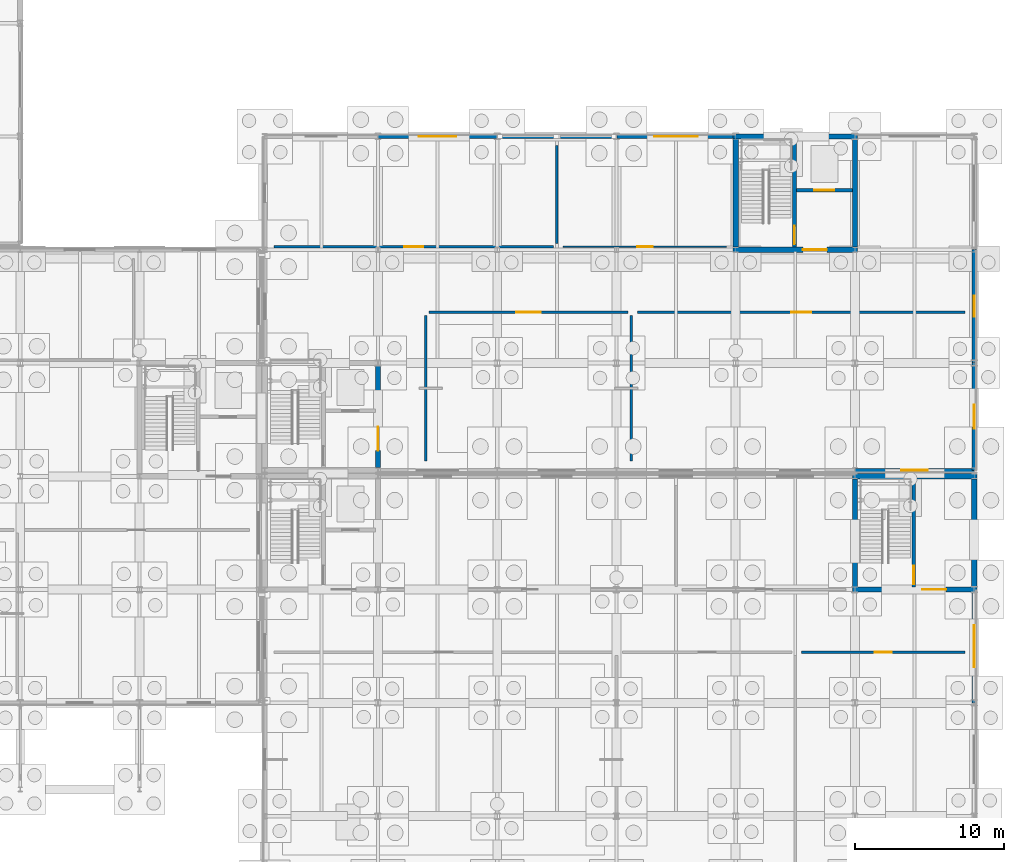
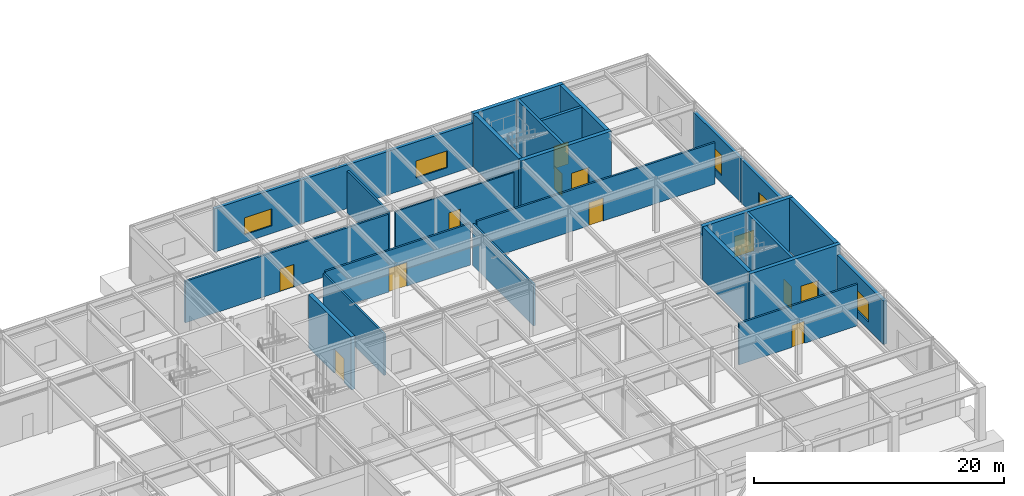
# One storey, part 48 of 62: 27 walls, 11 doors, 6 windows, 17 openings.
"""IFC4 building model written with IfcOpenShell, lengths in metres."""

from ifc_helpers import new_model, si_unit, direction, frame, frame_2d, origin, place, context, subcontext, project, spatial, rectangle, extrude, material, layer, layer_set, type_object, element, fill, save


model = new_model("IFC4")

# Units and contexts
model_context = context("Model", 3, precision=1e-05, world=origin(), true_north=direction((0.0, 1.0)))
body_context = subcontext(model_context, "Body", "Model", "MODEL_VIEW")
ifc_project = project(units=[si_unit("LENGTHUNIT", "METRE"), si_unit("AREAUNIT", "SQUARE_METRE"), si_unit("VOLUMEUNIT", "CUBIC_METRE"), si_unit("PLANEANGLEUNIT", "RADIAN"), si_unit("MASSUNIT", "GRAM", prefix="KILO")], contexts=[model_context])

# Site, building, storey
site_placement = place(None, origin())
site = spatial("IfcSite", under=ifc_project, at=site_placement, CompositionType="ELEMENT")
building_placement = place(site_placement, origin())
building = spatial("IfcBuilding", under=site, at=building_placement, Name="Zulena Civic Courthouse", CompositionType="ELEMENT")
storey_placement = place(building_placement, origin())
storey = spatial("IfcBuildingStorey", under=building, at=storey_placement, Name="L00", CompositionType="ELEMENT", Elevation=0.0)

# Wall, opening, door
ifc_material_1 = material(Name="Concrete C40/50", Category="concrete")
ifc_layer_1 = layer(ifc_material_1, 0.25)
ifc_layer_set_1 = layer_set([ifc_layer_1], Name="Concrete C40/50")
wall_type_1 = type_object("IfcWallType", Name="CoreShearWall_RC250", PredefinedType="SHEAR", material=ifc_layer_set_1)
wall_1_placement = place(storey_placement, frame((167.949951171875, 22.97509765625, 0.0), z_axis=(0.0, 0.0, 1.0), x_axis=(0.0, 1.0, 0.0)))
wall_1 = element("IfcWall", 1, at=wall_1_placement, inside=storey, type_object=wall_type_1, Name="cwall:K1B:L00:DIV", PredefinedType="SHEAR", context=body_context, shape_type="SweptSolid", body=[
    extrude(rectangle(XDim=7.25, YDim=0.25, at=frame_2d((3.625, 0.0))), origin(), (0.0, 0.0, 1.0), 5.18994140625),
])
opening_1_placement = place(wall_1_placement, frame((0.179931640625, 0.0, 0.0)))
opening_1 = element("IfcOpeningElement", 2, at=opening_1_placement, cuts=wall_1, Name="Opening ID06", PredefinedType="OPENING", context=body_context, shape_type="SweptSolid", body=[
    extrude(rectangle(XDim=1.25, YDim=2.199951171875, at=frame_2d((0.625, 1.10009765625))), frame((0.0, 0.135009765625, 0.0), z_axis=(0.0, -1.0, 0.0), x_axis=(1.0, 0.0, 0.0)), (0.0, 0.0, 1.0), 0.27001953125),
])
ifc_material_2 = material(Name="Fire-rated galvanised steel ASTM A653 Grade 50", Category="steel")
door_type_1 = type_object("IfcDoorType", Name="IntDoor_Stair_1250x2200", OperationType="NOTDEFINED", PredefinedType="DOOR", material=ifc_material_2)
door_1_placement = place(opening_1_placement, origin())
door_1 = element("IfcDoor", 3, at=door_1_placement, inside=storey, type_object=door_type_1, Name="door:stair:K1B:L00", OperationType="SINGLE_SWING_LEFT", OverallHeight=2.199951171875, OverallWidth=1.25, PredefinedType="DOOR", context=body_context, shape_type="SweptSolid", body=[
    extrude(rectangle(XDim=1.25, YDim=2.199951171875, at=frame_2d((0.625, 1.10009765625))), frame((0.0, 0.02490234375, 0.0), z_axis=(0.0, -1.0, 0.0), x_axis=(1.0, 0.0, 0.0)), (0.0, 0.0, 1.0), 0.050048828125),
])
fill(opening_1, door_1)

wall_2_placement = place(storey_placement, frame((159.949951171875, 45.77490234375, 0.0), z_axis=(0.0, 0.0, 1.0), x_axis=(0.0, 1.0, 0.0)))
wall_2 = element("IfcWall", 4, at=wall_2_placement, inside=storey, type_object=wall_type_1, Name="cwall:K3B:L00:DIV", PredefinedType="SHEAR", context=body_context, shape_type="SweptSolid", body=[
    extrude(rectangle(XDim=7.25, YDim=0.25, at=frame_2d((3.625, 0.0))), origin(), (0.0, 0.0, 1.0), 5.18994140625),
])
opening_2_placement = place(wall_2_placement, frame((0.179931640625, 0.0, 0.0)))
opening_2 = element("IfcOpeningElement", 5, at=opening_2_placement, cuts=wall_2, Name="Opening ID06", PredefinedType="OPENING", context=body_context, shape_type="SweptSolid", body=[
    extrude(rectangle(XDim=1.25, YDim=2.199951171875, at=frame_2d((0.625, 1.10009765625))), frame((0.0, 0.135009765625, 0.0), z_axis=(0.0, -1.0, 0.0), x_axis=(1.0, 0.0, 0.0)), (0.0, 0.0, 1.0), 0.27001953125),
])
door_2_placement = place(opening_2_placement, origin())
door_2 = element("IfcDoor", 6, at=door_2_placement, inside=storey, type_object=door_type_1, Name="door:stair:K3B:L00", OperationType="SINGLE_SWING_LEFT", OverallHeight=2.199951171875, OverallWidth=1.25, PredefinedType="DOOR", context=body_context, shape_type="SweptSolid", body=[
    extrude(rectangle(XDim=1.25, YDim=2.199951171875, at=frame_2d((0.625, 1.10009765625))), frame((0.0, 0.02490234375, 0.0), z_axis=(0.0, -1.0, 0.0), x_axis=(1.0, 0.0, 0.0)), (0.0, 0.0, 1.0), 0.050048828125),
])
fill(opening_2, door_2)

wall_3_placement = place(storey_placement, frame((160.074951171875, 49.60009765625, 0.0), z_axis=(0.0, 0.0, 1.0), x_axis=(1.0, 0.0, 0.0)))
wall_3 = element("IfcWall", 7, at=wall_3_placement, inside=storey, type_object=wall_type_1, Name="cwall:K3B:L00:SHF", PredefinedType="SHEAR", context=body_context, shape_type="SweptSolid", body=[
    extrude(rectangle(XDim=3.75, YDim=0.25, at=frame_2d((1.875, 0.0))), origin(), (0.0, 0.0, 1.0), 5.18994140625),
])
opening_3_placement = place(wall_3_placement, frame((1.195068359375, 0.0, 0.0)))
opening_3 = element("IfcOpeningElement", 8, at=opening_3_placement, cuts=wall_3, Name="Opening LD04", PredefinedType="OPENING", context=body_context, shape_type="SweptSolid", body=[
    extrude(rectangle(XDim=1.35009765625, YDim=2.199951171875, at=frame_2d((0.675048828125, 1.10009765625))), frame((0.0, 0.135009765625, 0.0), z_axis=(0.0, -1.0, 0.0), x_axis=(1.0, 0.0, 0.0)), (0.0, 0.0, 1.0), 0.27001953125),
])
door_type_2 = type_object("IfcDoorType", Name="LiftLandingDoor_Goods_1350x2300", OperationType="DOUBLE_DOOR_SLIDING", PredefinedType="DOOR", material=ifc_material_2)
door_3_placement = place(opening_3_placement, origin())
door_3 = element("IfcDoor", 9, at=door_3_placement, inside=storey, type_object=door_type_2, Name="door:ld:GL-01:L00", OperationType="DOUBLE_DOOR_SLIDING", OverallHeight=2.199951171875, OverallWidth=1.35009765625, PredefinedType="DOOR", context=body_context, shape_type="SweptSolid", body=[
    extrude(rectangle(XDim=1.35009765625, YDim=2.199951171875, at=frame_2d((0.675048828125, 1.10009765625))), frame((0.0, 0.02490234375, 0.0), z_axis=(0.0, -1.0, 0.0), x_axis=(1.0, 0.0, 0.0)), (0.0, 0.0, 1.0), 0.050048828125),
])
fill(opening_3, door_3)

ifc_layer_2 = layer(ifc_material_1, 0.35009765625)
ifc_layer_set_2 = layer_set([ifc_layer_2], Name="Concrete C40/50")
wall_type_2 = type_object("IfcWallType", Name="CoreShearWall_RC350", PredefinedType="SHEAR", material=ifc_layer_set_2)
wall_4_placement = place(storey_placement, frame((163.824951171875, 22.800048828125, 0.0), z_axis=(0.0, 0.0, 1.0), x_axis=(1.0, 0.0, 0.0)))
wall_4 = element("IfcWall", 10, at=wall_4_placement, inside=storey, type_object=wall_type_2, Name="cwall:K1B:L00:S", PredefinedType="SHEAR", context=body_context, shape_type="SweptSolid", body=[
    extrude(rectangle(XDim=8.35009765625, YDim=0.35009765625, at=frame_2d((4.175048828125, 0.0))), origin(), (0.0, 0.0, 1.0), 5.18994140625),
])
opening_4_placement = place(wall_4_placement, frame((4.68505859375, 0.0, 0.0)))
opening_4 = element("IfcOpeningElement", 11, at=opening_4_placement, cuts=wall_4, Name="Opening ID04", PredefinedType="OPENING", context=body_context, shape_type="SweptSolid", body=[
    extrude(rectangle(XDim=1.60009765625, YDim=2.35009765625, at=frame_2d((0.800048828125, 1.175048828125))), frame((0.0, 0.18505859375, 0.0), z_axis=(0.0, -1.0, 0.0), x_axis=(1.0, 0.0, 0.0)), (0.0, 0.0, 1.0), 0.3701171875),
])
ifc_material_3 = material(Name="Solid-core acoustic hardwood timber", Category="wood")
door_type_3 = type_object("IfcDoorType", Name="IntDoor_CourtPublic_1600x2350", OperationType="DOUBLE_DOOR_SINGLE_SWING", PredefinedType="DOOR", material=ifc_material_3)
door_4_placement = place(opening_4_placement, origin())
door_4 = element("IfcDoor", 12, at=door_4_placement, inside=storey, type_object=door_type_3, Name="door:corelob:K1B:L00", OperationType="DOUBLE_DOOR_SINGLE_SWING", OverallHeight=2.35009765625, OverallWidth=1.60009765625, PredefinedType="DOOR", context=body_context, shape_type="SweptSolid", body=[
    extrude(rectangle(XDim=1.60009765625, YDim=2.35009765625, at=frame_2d((0.800048828125, 1.175048828125))), frame((0.0, 0.02490234375, 0.0), z_axis=(0.0, -1.0, 0.0), x_axis=(1.0, 0.0, 0.0)), (0.0, 0.0, 1.0), 0.050048828125),
])
fill(opening_4, door_4)

# Walls
wall_5_placement = place(storey_placement, frame((163.824951171875, 30.39990234375, 0.0), z_axis=(0.0, 0.0, 1.0), x_axis=(1.0, 0.0, 0.0)))
element("IfcWall", 13, at=wall_5_placement, inside=storey, type_object=wall_type_2, Name="cwall:K1B:L00:N", PredefinedType="SHEAR", context=body_context, shape_type="SweptSolid", body=[
    extrude(rectangle(XDim=8.35009765625, YDim=0.35009765625, at=frame_2d((4.175048828125, 0.0))), origin(), (0.0, 0.0, 1.0), 5.18994140625),
])
for number, where, z_axis, x_axis, name in (
    (14, (164.0, 22.97509765625, 0.0), (0.0, 0.0, 1.0), (0.0, 1.0, 0.0), "cwall:K1B:L00:W"),
    (15, (172.0, 22.97509765625, 0.0), (0.0, 0.0, 1.0), (0.0, 1.0, 0.0), "cwall:K1B:L00:E"),
):
    element("IfcWall", number, at=place(storey_placement, frame(where, z_axis=z_axis, x_axis=x_axis)), inside=storey, type_object=wall_type_2, Name=name, PredefinedType="SHEAR", context=body_context, shape_type="SweptSolid", body=[
        extrude(rectangle(XDim=7.25, YDim=0.35009765625, at=frame_2d((3.625, 0.0))), origin(), (0.0, 0.0, 1.0), 5.18994140625),
    ])

# Wall, opening, door
wall_6_placement = place(storey_placement, frame((132.0, 30.97509765625, 0.0), z_axis=(0.0, 0.0, 1.0), x_axis=(0.0, 1.0, 0.0)))
wall_6 = element("IfcWall", 16, at=wall_6_placement, inside=storey, type_object=wall_type_2, Name="cwall:K3A:L00:E", PredefinedType="SHEAR", context=body_context, shape_type="SweptSolid", body=[
    extrude(rectangle(XDim=6.849853515625, YDim=0.35009765625, at=frame_2d((3.4248046875, 0.0))), origin(), (0.0, 0.0, 1.0), 5.18994140625),
])
opening_5_placement = place(wall_6_placement, frame((1.14990234375, 0.0, 0.0)))
opening_5 = element("IfcOpeningElement", 17, at=opening_5_placement, cuts=wall_6, Name="Opening ID04", PredefinedType="OPENING", context=body_context, shape_type="SweptSolid", body=[
    extrude(rectangle(XDim=1.60009765625, YDim=2.35009765625, at=frame_2d((0.800048828125, 1.175048828125))), frame((0.0, 0.18505859375, 0.0), z_axis=(0.0, -1.0, 0.0), x_axis=(1.0, 0.0, 0.0)), (0.0, 0.0, 1.0), 0.3701171875),
])
door_5_placement = place(opening_5_placement, origin())
door_5 = element("IfcDoor", 18, at=door_5_placement, inside=storey, type_object=door_type_3, Name="door:corelob:K3A:L00", OperationType="DOUBLE_DOOR_SINGLE_SWING", OverallHeight=2.35009765625, OverallWidth=1.60009765625, PredefinedType="DOOR", context=body_context, shape_type="SweptSolid", body=[
    extrude(rectangle(XDim=1.60009765625, YDim=2.35009765625, at=frame_2d((0.800048828125, 1.175048828125))), frame((0.0, 0.02490234375, 0.0), z_axis=(0.0, -1.0, 0.0), x_axis=(1.0, 0.0, 0.0)), (0.0, 0.0, 1.0), 0.050048828125),
])
fill(opening_5, door_5)

wall_7_placement = place(storey_placement, frame((155.824951171875, 45.60009765625, 0.0), z_axis=(0.0, 0.0, 1.0), x_axis=(1.0, 0.0, 0.0)))
wall_7 = element("IfcWall", 19, at=wall_7_placement, inside=storey, type_object=wall_type_2, Name="cwall:K3B:L00:S", PredefinedType="SHEAR", context=body_context, shape_type="SweptSolid", body=[
    extrude(rectangle(XDim=8.35009765625, YDim=0.35009765625, at=frame_2d((4.175048828125, 0.0))), origin(), (0.0, 0.0, 1.0), 5.18994140625),
])
opening_6_placement = place(wall_7_placement, frame((4.68505859375, 0.0, 0.0)))
opening_6 = element("IfcOpeningElement", 20, at=opening_6_placement, cuts=wall_7, Name="Opening ID04", PredefinedType="OPENING", context=body_context, shape_type="SweptSolid", body=[
    extrude(rectangle(XDim=1.60009765625, YDim=2.35009765625, at=frame_2d((0.800048828125, 1.175048828125))), frame((0.0, 0.18505859375, 0.0), z_axis=(0.0, -1.0, 0.0), x_axis=(1.0, 0.0, 0.0)), (0.0, 0.0, 1.0), 0.3701171875),
])
door_6_placement = place(opening_6_placement, origin())
door_6 = element("IfcDoor", 21, at=door_6_placement, inside=storey, type_object=door_type_3, Name="door:corelob:K3B:L00", OperationType="DOUBLE_DOOR_SINGLE_SWING", OverallHeight=2.35009765625, OverallWidth=1.60009765625, PredefinedType="DOOR", context=body_context, shape_type="SweptSolid", body=[
    extrude(rectangle(XDim=1.60009765625, YDim=2.35009765625, at=frame_2d((0.800048828125, 1.175048828125))), frame((0.0, 0.02490234375, 0.0), z_axis=(0.0, -1.0, 0.0), x_axis=(1.0, 0.0, 0.0)), (0.0, 0.0, 1.0), 0.050048828125),
])
fill(opening_6, door_6)

# Walls
wall_8_placement = place(storey_placement, frame((155.824951171875, 53.199951171875, 0.0), z_axis=(0.0, 0.0, 1.0), x_axis=(1.0, 0.0, 0.0)))
element("IfcWall", 22, at=wall_8_placement, inside=storey, type_object=wall_type_2, Name="cwall:K3B:L00:N", PredefinedType="SHEAR", context=body_context, shape_type="SweptSolid", body=[
    extrude(rectangle(XDim=8.35009765625, YDim=0.35009765625, at=frame_2d((4.175048828125, 0.0))), origin(), (0.0, 0.0, 1.0), 5.18994140625),
])
for number, where, z_axis, x_axis, name in (
    (23, (156.0, 45.77490234375, 0.0), (0.0, 0.0, 1.0), (0.0, 1.0, 0.0), "cwall:K3B:L00:W"),
    (24, (164.0, 45.77490234375, 0.0), (0.0, 0.0, 1.0), (0.0, 1.0, 0.0), "cwall:K3B:L00:E"),
):
    element("IfcWall", number, at=place(storey_placement, frame(where, z_axis=z_axis, x_axis=x_axis)), inside=storey, type_object=wall_type_2, Name=name, PredefinedType="SHEAR", context=body_context, shape_type="SweptSolid", body=[
        extrude(rectangle(XDim=7.25, YDim=0.35009765625, at=frame_2d((3.625, 0.0))), origin(), (0.0, 0.0, 1.0), 5.18994140625),
    ])

# Wall, opening, window
ifc_material_4 = material(Name="Terracotta-rose architectural precast concrete C40/50", Category="masonry")
ifc_layer_3 = layer(ifc_material_4, 0.320068359375)
ifc_layer_set_3 = layer_set([ifc_layer_3], Name="Terracotta-rose architectural precast concrete C40/50")
wall_type_3 = type_object("IfcWallType", Name="ExtWall_TerraPrecast_320", PredefinedType="STANDARD", material=ifc_layer_set_3)
wall_9_placement = place(storey_placement, frame((172.0, 22.820068359375, 0.0), z_axis=(0.0, 0.0, 1.0), x_axis=(0.0, -1.0, 0.0)))
wall_9 = element("IfcWall", 25, at=wall_9_placement, inside=storey, type_object=wall_type_3, Name="ewall:V1:L00:2:1", PredefinedType="STANDARD", context=body_context, shape_type="SweptSolid", body=[
    extrude(rectangle(XDim=7.64013671875, YDim=0.320068359375, at=frame_2d((3.820068359375, 0.0))), origin(), (0.0, 0.0, 1.0), 4.25),
])
opening_7_placement = place(wall_9_placement, frame((2.419921875, 0.0, 0.75)))
opening_7 = element("IfcOpeningElement", 26, at=opening_7_placement, cuts=wall_9, Name="Opening WN07", PredefinedType="OPENING", context=body_context, shape_type="SweptSolid", body=[
    extrude(rectangle(XDim=2.800048828125, YDim=2.0, at=frame_2d((1.39990234375, 1.0))), frame((0.0, 0.169921875, 0.0), z_axis=(0.0, -1.0, 0.0), x_axis=(1.0, 0.0, 0.0)), (0.0, 0.0, 1.0), 0.340087890625),
])
ifc_material_5 = material(Name="Double-silver low-E laminated solar-control glass", Category="glass")
window_type_1 = type_object("IfcWindowType", Name="Win_2800x2000", PartitioningType="DOUBLE_PANEL_VERTICAL", PredefinedType="WINDOW", material=ifc_material_5)
window_1_placement = place(opening_7_placement, origin())
window_1 = element("IfcWindow", 27, at=window_1_placement, inside=storey, type_object=window_type_1, Name="win:V1:L00:2:1", OverallHeight=2.0, OverallWidth=2.800048828125, PartitioningType="SINGLE_PANEL", PredefinedType="WINDOW", context=body_context, shape_type="SweptSolid", body=[
    extrude(rectangle(XDim=2.800048828125, YDim=2.0, at=frame_2d((1.39990234375, 1.0))), frame((0.0, 0.030029296875, 0.0), z_axis=(0.0, -1.0, 0.0), x_axis=(1.0, 0.0, 0.0)), (0.0, 0.0, 1.0), 0.06005859375),
])
fill(opening_7, window_1)

ifc_material_6 = material(Name="Travertine-cream architectural precast concrete C40/50", Category="masonry")
ifc_layer_4 = layer(ifc_material_6, 0.280029296875)
ifc_layer_set_4 = layer_set([ifc_layer_4], Name="Travertine-cream architectural precast concrete C40/50")
wall_type_4 = type_object("IfcWallType", Name="ExtWall_TravPrecast_280", PredefinedType="STANDARD", material=ifc_layer_set_4)
wall_10_placement = place(storey_placement, frame((131.97998046875, 53.199951171875, 0.0), z_axis=(0.0, 0.0, 1.0), x_axis=(1.0, 0.0, 0.0)))
wall_10 = element("IfcWall", 28, at=wall_10_placement, inside=storey, type_object=wall_type_4, Name="ewall:V3:L00:1:1", PredefinedType="STANDARD", context=body_context, shape_type="SweptSolid", body=[
    extrude(rectangle(XDim=8.0400390625, YDim=0.280029296875, at=frame_2d((4.02001953125, 0.0))), origin(), (0.0, 0.0, 1.0), 4.25),
])
opening_8_placement = place(wall_10_placement, frame((2.77001953125, 0.0, 0.75)))
opening_8 = element("IfcOpeningElement", 29, at=opening_8_placement, cuts=wall_10, Name="Opening WN45", PredefinedType="OPENING", context=body_context, shape_type="SweptSolid", body=[
    extrude(rectangle(XDim=2.5, YDim=1.64990234375, at=frame_2d((1.25, 0.824951171875))), frame((0.0, 0.14990234375, 0.0), z_axis=(0.0, -1.0, 0.0), x_axis=(1.0, 0.0, 0.0)), (0.0, 0.0, 1.0), 0.300048828125),
])
window_type_2 = type_object("IfcWindowType", Name="Win_2500x1650", PartitioningType="DOUBLE_PANEL_VERTICAL", PredefinedType="WINDOW", material=ifc_material_5)
window_2_placement = place(opening_8_placement, origin())
window_2 = element("IfcWindow", 30, at=window_2_placement, inside=storey, type_object=window_type_2, Name="win:V3:L00:1:1", OverallHeight=1.64990234375, OverallWidth=2.5, PartitioningType="SINGLE_PANEL", PredefinedType="WINDOW", context=body_context, shape_type="SweptSolid", body=[
    extrude(rectangle(XDim=2.5, YDim=1.64990234375, at=frame_2d((1.25, 0.824951171875))), frame((0.0, 0.030029296875, 0.0), z_axis=(0.0, -1.0, 0.0), x_axis=(1.0, 0.0, 0.0)), (0.0, 0.0, 1.0), 0.06005859375),
])
fill(opening_8, window_2)

# Wall
wall_11_placement = place(storey_placement, frame((139.97998046875, 53.199951171875, 0.0), z_axis=(0.0, 0.0, 1.0), x_axis=(1.0, 0.0, 0.0)))
element("IfcWall", 31, at=wall_11_placement, inside=storey, type_object=wall_type_4, Name="ewall:V3:L00:1:2", PredefinedType="STANDARD", context=body_context, shape_type="SweptSolid", body=[
    extrude(rectangle(XDim=8.0400390625, YDim=0.280029296875, at=frame_2d((4.02001953125, 0.0))), origin(), (0.0, 0.0, 1.0), 4.25),
])

# Wall, opening, window
wall_12_placement = place(storey_placement, frame((147.97998046875, 53.199951171875, 0.0), z_axis=(0.0, 0.0, 1.0), x_axis=(1.0, 0.0, 0.0)))
wall_12 = element("IfcWall", 32, at=wall_12_placement, inside=storey, type_object=wall_type_4, Name="ewall:V3:L00:1:3", PredefinedType="STANDARD", context=body_context, shape_type="SweptSolid", body=[
    extrude(rectangle(XDim=8.0400390625, YDim=0.280029296875, at=frame_2d((4.02001953125, 0.0))), origin(), (0.0, 0.0, 1.0), 4.25),
])
opening_9_placement = place(wall_12_placement, frame((2.570068359375, 0.0, 0.75)))
opening_9 = element("IfcOpeningElement", 33, at=opening_9_placement, cuts=wall_12, Name="Opening WN46", PredefinedType="OPENING", context=body_context, shape_type="SweptSolid", body=[
    extrude(rectangle(XDim=2.89990234375, YDim=1.64990234375, at=frame_2d((1.449951171875, 0.824951171875))), frame((0.0, 0.14990234375, 0.0), z_axis=(0.0, -1.0, 0.0), x_axis=(1.0, 0.0, 0.0)), (0.0, 0.0, 1.0), 0.300048828125),
])
window_type_3 = type_object("IfcWindowType", Name="Win_2900x1650", PartitioningType="DOUBLE_PANEL_VERTICAL", PredefinedType="WINDOW", material=ifc_material_5)
window_3_placement = place(opening_9_placement, origin())
window_3 = element("IfcWindow", 34, at=window_3_placement, inside=storey, type_object=window_type_3, Name="win:V3:L00:1:3", OverallHeight=1.64990234375, OverallWidth=2.89990234375, PartitioningType="SINGLE_PANEL", PredefinedType="WINDOW", context=body_context, shape_type="SweptSolid", body=[
    extrude(rectangle(XDim=2.89990234375, YDim=1.64990234375, at=frame_2d((1.449951171875, 0.824951171875))), frame((0.0, 0.030029296875, 0.0), z_axis=(0.0, -1.0, 0.0), x_axis=(1.0, 0.0, 0.0)), (0.0, 0.0, 1.0), 0.06005859375),
])
fill(opening_9, window_3)

wall_13_placement = place(storey_placement, frame((172.0, 45.6201171875, 0.0), z_axis=(0.0, 0.0, 1.0), x_axis=(0.0, -1.0, 0.0)))
wall_13 = element("IfcWall", 35, at=wall_13_placement, inside=storey, type_object=wall_type_4, Name="ewall:V3:L00:2:1", PredefinedType="STANDARD", context=body_context, shape_type="SweptSolid", body=[
    extrude(rectangle(XDim=7.64013671875, YDim=0.280029296875, at=frame_2d((3.820068359375, 0.0))), origin(), (0.0, 0.0, 1.0), 4.25),
])
opening_10_placement = place(wall_13_placement, frame((3.1201171875, 0.0, 0.75)))
opening_10 = element("IfcOpeningElement", 36, at=opening_10_placement, cuts=wall_13, Name="Opening WN01", PredefinedType="OPENING", context=body_context, shape_type="SweptSolid", body=[
    extrude(rectangle(XDim=1.39990234375, YDim=2.0, at=frame_2d((0.699951171875, 1.0))), frame((0.0, 0.14990234375, 0.0), z_axis=(0.0, -1.0, 0.0), x_axis=(1.0, 0.0, 0.0)), (0.0, 0.0, 1.0), 0.300048828125),
])
window_type_4 = type_object("IfcWindowType", Name="Win_1400x2000", PartitioningType="SINGLE_PANEL", PredefinedType="WINDOW", material=ifc_material_5)
window_4_placement = place(opening_10_placement, origin())
window_4 = element("IfcWindow", 37, at=window_4_placement, inside=storey, type_object=window_type_4, Name="win:V3:L00:2:1", OverallHeight=2.0, OverallWidth=1.39990234375, PartitioningType="SINGLE_PANEL", PredefinedType="WINDOW", context=body_context, shape_type="SweptSolid", body=[
    extrude(rectangle(XDim=1.39990234375, YDim=2.0, at=frame_2d((0.699951171875, 1.0))), frame((0.0, 0.030029296875, 0.0), z_axis=(0.0, -1.0, 0.0), x_axis=(1.0, 0.0, 0.0)), (0.0, 0.0, 1.0), 0.06005859375),
])
fill(opening_10, window_4)

wall_14_placement = place(storey_placement, frame((172.0, 38.02001953125, 0.0), z_axis=(0.0, 0.0, 1.0), x_axis=(0.0, -1.0, 0.0)))
wall_14 = element("IfcWall", 38, at=wall_14_placement, inside=storey, type_object=wall_type_4, Name="ewall:V3:L00:2:2", PredefinedType="STANDARD", context=body_context, shape_type="SweptSolid", body=[
    extrude(rectangle(XDim=7.239990234375, YDim=0.280029296875, at=frame_2d((3.6201171875, 0.0))), origin(), (0.0, 0.0, 1.0), 4.25),
])
opening_11_placement = place(wall_14_placement, frame((2.820068359375, 0.0, 0.75)))
opening_11 = element("IfcOpeningElement", 39, at=opening_11_placement, cuts=wall_14, Name="Opening WN02", PredefinedType="OPENING", context=body_context, shape_type="SweptSolid", body=[
    extrude(rectangle(XDim=1.60009765625, YDim=2.0, at=frame_2d((0.800048828125, 1.0))), frame((0.0, 0.14990234375, 0.0), z_axis=(0.0, -1.0, 0.0), x_axis=(1.0, 0.0, 0.0)), (0.0, 0.0, 1.0), 0.300048828125),
])
window_type_5 = type_object("IfcWindowType", Name="Win_1600x2000", PartitioningType="SINGLE_PANEL", PredefinedType="WINDOW", material=ifc_material_5)
window_5_placement = place(opening_11_placement, origin())
window_5 = element("IfcWindow", 40, at=window_5_placement, inside=storey, type_object=window_type_5, Name="win:V3:L00:2:2", OverallHeight=2.0, OverallWidth=1.60009765625, PartitioningType="SINGLE_PANEL", PredefinedType="WINDOW", context=body_context, shape_type="SweptSolid", body=[
    extrude(rectangle(XDim=1.60009765625, YDim=2.0, at=frame_2d((0.800048828125, 1.0))), frame((0.0, 0.030029296875, 0.0), z_axis=(0.0, -1.0, 0.0), x_axis=(1.0, 0.0, 0.0)), (0.0, 0.0, 1.0), 0.06005859375),
])
fill(opening_11, window_5)

wall_15_placement = place(storey_placement, frame((172.02001953125, 30.800048828125, 0.0), z_axis=(0.0, 0.0, 1.0), x_axis=(-1.0, 0.0, 0.0)))
wall_15 = element("IfcWall", 41, at=wall_15_placement, inside=storey, type_object=wall_type_4, Name="ewall:V3:L00:3:0", PredefinedType="STANDARD", context=body_context, shape_type="SweptSolid", body=[
    extrude(rectangle(XDim=8.0400390625, YDim=0.280029296875, at=frame_2d((4.02001953125, 0.0))), origin(), (0.0, 0.0, 1.0), 4.25),
])
opening_12_placement = place(wall_15_placement, frame((3.1201171875, 0.0, 0.75)))
opening_12 = element("IfcOpeningElement", 42, at=opening_12_placement, cuts=wall_15, Name="Opening WN03", PredefinedType="OPENING", context=body_context, shape_type="SweptSolid", body=[
    extrude(rectangle(XDim=1.800048828125, YDim=2.0, at=frame_2d((0.89990234375, 1.0))), frame((0.0, 0.14990234375, 0.0), z_axis=(0.0, -1.0, 0.0), x_axis=(1.0, 0.0, 0.0)), (0.0, 0.0, 1.0), 0.300048828125),
])
window_type_6 = type_object("IfcWindowType", Name="Win_1800x2000", PartitioningType="DOUBLE_PANEL_VERTICAL", PredefinedType="WINDOW", material=ifc_material_5)
window_6_placement = place(opening_12_placement, origin())
window_6 = element("IfcWindow", 43, at=window_6_placement, inside=storey, type_object=window_type_6, Name="win:V3:L00:3:0", OverallHeight=2.0, OverallWidth=1.800048828125, PartitioningType="SINGLE_PANEL", PredefinedType="WINDOW", context=body_context, shape_type="SweptSolid", body=[
    extrude(rectangle(XDim=1.800048828125, YDim=2.0, at=frame_2d((0.89990234375, 1.0))), frame((0.0, 0.030029296875, 0.0), z_axis=(0.0, -1.0, 0.0), x_axis=(1.0, 0.0, 0.0)), (0.0, 0.0, 1.0), 0.06005859375),
])
fill(opening_12, window_6)

# Wall, opening, door
ifc_material_7 = material(Name="Acoustic fire-rated gypsum board assembly", Category="masonry")
ifc_layer_5 = layer(ifc_material_7, 0.177978515625)
ifc_layer_set_5 = layer_set([ifc_layer_5], Name="Acoustic fire-rated gypsum board assembly")
wall_type_5 = type_object("IfcWallType", Name="PartWall_Corridor_178", PredefinedType="PARTITIONING", material=ifc_layer_set_5)
wall_16_placement = place(storey_placement, frame((160.419921875, 18.60009765625, 0.0), z_axis=(0.0, 0.0, 1.0), x_axis=(1.0, 0.0, 0.0)))
wall_16 = element("IfcWall", 44, at=wall_16_placement, inside=storey, type_object=wall_type_5, Name="pwall:L00:211:0", PredefinedType="PARTITIONING", context=body_context, shape_type="SweptSolid", body=[
    extrude(rectangle(XDim=10.9599609375, YDim=0.177978515625, at=frame_2d((5.47998046875, 0.0))), origin(), (0.0, 0.0, 1.0), 4.050048828125),
])
opening_13_placement = place(wall_16_placement, frame((4.905029296875, 0.0, 0.0)))
opening_13 = element("IfcOpeningElement", 45, at=opening_13_placement, cuts=wall_16, Name="Opening ID09", PredefinedType="OPENING", context=body_context, shape_type="SweptSolid", body=[
    extrude(rectangle(XDim=1.14990234375, YDim=2.14990234375, at=frame_2d((0.574951171875, 1.074951171875))), frame((0.0, 0.098876953125, 0.0), z_axis=(0.0, -1.0, 0.0), x_axis=(1.0, 0.0, 0.0)), (0.0, 0.0, 1.0), 0.197998046875),
])
door_type_4 = type_object("IfcDoorType", Name="IntDoor_Custody_1150x2150", OperationType="NOTDEFINED", PredefinedType="DOOR", material=ifc_material_2)
door_7_placement = place(opening_13_placement, origin())
door_7 = element("IfcDoor", 46, at=door_7_placement, inside=storey, type_object=door_type_4, Name="door:rm:L00:211", OperationType="SINGLE_SWING_LEFT", OverallHeight=2.14990234375, OverallWidth=1.14990234375, PredefinedType="DOOR", context=body_context, shape_type="SweptSolid", body=[
    extrude(rectangle(XDim=1.14990234375, YDim=2.14990234375, at=frame_2d((0.574951171875, 1.074951171875))), frame((0.0, 0.02490234375, 0.0), z_axis=(0.0, -1.0, 0.0), x_axis=(1.0, 0.0, 0.0)), (0.0, 0.0, 1.0), 0.050048828125),
])
fill(opening_13, door_7)

wall_17_placement = place(storey_placement, frame((135.419921875, 41.39990234375, 0.0), z_axis=(0.0, 0.0, 1.0), x_axis=(1.0, 0.0, 0.0)))
wall_17 = element("IfcWall", 47, at=wall_17_placement, inside=storey, type_object=wall_type_5, Name="pwall:L00:259:0", PredefinedType="PARTITIONING", context=body_context, shape_type="SweptSolid", body=[
    extrude(rectangle(XDim=13.360107421875, YDim=0.177978515625, at=frame_2d((6.68017578125, 0.0))), origin(), (0.0, 0.0, 1.0), 4.050048828125),
])
opening_14_placement = place(wall_17_placement, frame((5.85498046875, 0.0, 0.0)))
opening_14 = element("IfcOpeningElement", 48, at=opening_14_placement, cuts=wall_17, Name="Opening ID18", PredefinedType="OPENING", context=body_context, shape_type="SweptSolid", body=[
    extrude(rectangle(XDim=1.64990234375, YDim=2.300048828125, at=frame_2d((0.824951171875, 1.14990234375))), frame((0.0, 0.098876953125, 0.0), z_axis=(0.0, -1.0, 0.0), x_axis=(1.0, 0.0, 0.0)), (0.0, 0.0, 1.0), 0.197998046875),
])
door_type_5 = type_object("IfcDoorType", Name="IntDoor_Library_1650x2300", OperationType="DOUBLE_DOOR_SINGLE_SWING", PredefinedType="DOOR", material=ifc_material_3)
door_8_placement = place(opening_14_placement, origin())
door_8 = element("IfcDoor", 49, at=door_8_placement, inside=storey, type_object=door_type_5, Name="door:rm:L00:259", OperationType="DOUBLE_DOOR_SINGLE_SWING", OverallHeight=2.300048828125, OverallWidth=1.64990234375, PredefinedType="DOOR", context=body_context, shape_type="SweptSolid", body=[
    extrude(rectangle(XDim=1.64990234375, YDim=2.300048828125, at=frame_2d((0.824951171875, 1.14990234375))), frame((0.0, 0.02490234375, 0.0), z_axis=(0.0, -1.0, 0.0), x_axis=(1.0, 0.0, 0.0)), (0.0, 0.0, 1.0), 0.050048828125),
])
fill(opening_14, door_8)

# Walls
for number, where, z_axis, x_axis, name in (
    (50, (149.0, 31.419921875, 0.0), (0.0, 0.0, 1.0), (0.0, 1.0, 0.0), "pwall:L00:259:1"),
    (51, (135.199951171875, 31.419921875, 0.0), (0.0, 0.0, 1.0), (0.0, 1.0, 0.0), "pwall:L00:259:2"),
):
    element("IfcWall", number, at=place(storey_placement, frame(where, z_axis=z_axis, x_axis=x_axis)), inside=storey, type_object=wall_type_5, Name=name, PredefinedType="PARTITIONING", context=body_context, shape_type="SweptSolid", body=[
        extrude(rectangle(XDim=9.760009765625, YDim=0.177978515625, at=frame_2d((4.8798828125, 0.0))), origin(), (0.0, 0.0, 1.0), 4.050048828125),
    ])

# Wall, opening, door
wall_18_placement = place(storey_placement, frame((149.419921875, 41.39990234375, 0.0), z_axis=(0.0, 0.0, 1.0), x_axis=(1.0, 0.0, 0.0)))
wall_18 = element("IfcWall", 52, at=wall_18_placement, inside=storey, type_object=wall_type_5, Name="pwall:L00:260:0", PredefinedType="PARTITIONING", context=body_context, shape_type="SweptSolid", body=[
    extrude(rectangle(XDim=21.9599609375, YDim=0.177978515625, at=frame_2d((10.97998046875, 0.0))), origin(), (0.0, 0.0, 1.0), 4.050048828125),
])
opening_15_placement = place(wall_18_placement, frame((10.304931640625, 0.0, 0.0)))
opening_15 = element("IfcOpeningElement", 53, at=opening_15_placement, cuts=wall_18, Name="Opening ID19", PredefinedType="OPENING", context=body_context, shape_type="SweptSolid", body=[
    extrude(rectangle(XDim=1.35009765625, YDim=2.25, at=frame_2d((0.675048828125, 1.125))), frame((0.0, 0.098876953125, 0.0), z_axis=(0.0, -1.0, 0.0), x_axis=(1.0, 0.0, 0.0)), (0.0, 0.0, 1.0), 0.197998046875),
])
door_type_6 = type_object("IfcDoorType", Name="IntDoor_Library_1350x2250", OperationType="NOTDEFINED", PredefinedType="DOOR", material=ifc_material_3)
door_9_placement = place(opening_15_placement, origin())
door_9 = element("IfcDoor", 54, at=door_9_placement, inside=storey, type_object=door_type_6, Name="door:rm:L00:260", OperationType="SINGLE_SWING_RIGHT", OverallHeight=2.25, OverallWidth=1.35009765625, PredefinedType="DOOR", context=body_context, shape_type="SweptSolid", body=[
    extrude(rectangle(XDim=1.35009765625, YDim=2.25, at=frame_2d((0.675048828125, 1.125))), frame((0.0, 0.02490234375, 0.0), z_axis=(0.0, -1.0, 0.0), x_axis=(1.0, 0.0, 0.0)), (0.0, 0.0, 1.0), 0.050048828125),
])
fill(opening_15, door_9)

wall_19_placement = place(storey_placement, frame((125.02001953125, 45.800048828125, 0.0), z_axis=(0.0, 0.0, 1.0), x_axis=(1.0, 0.0, 0.0)))
wall_19 = element("IfcWall", 55, at=wall_19_placement, inside=storey, type_object=wall_type_5, Name="pwall:L00:261:0", PredefinedType="PARTITIONING", context=body_context, shape_type="SweptSolid", body=[
    extrude(rectangle(XDim=18.760009765625, YDim=0.177978515625, at=frame_2d((9.3798828125, 0.0))), origin(), (0.0, 0.0, 1.0), 4.050048828125),
])
opening_16_placement = place(wall_19_placement, frame((8.72998046875, 0.0, 0.0)))
opening_16 = element("IfcOpeningElement", 56, at=opening_16_placement, cuts=wall_19, Name="Opening ID20", PredefinedType="OPENING", context=body_context, shape_type="SweptSolid", body=[
    extrude(rectangle(XDim=1.300048828125, YDim=2.199951171875, at=frame_2d((0.64990234375, 1.10009765625))), frame((0.0, 0.098876953125, 0.0), z_axis=(0.0, -1.0, 0.0), x_axis=(1.0, 0.0, 0.0)), (0.0, 0.0, 1.0), 0.197998046875),
])
door_type_7 = type_object("IfcDoorType", Name="IntDoor_Archive_1300x2200", OperationType="NOTDEFINED", PredefinedType="DOOR", material=ifc_material_2)
door_10_placement = place(opening_16_placement, origin())
door_10 = element("IfcDoor", 57, at=door_10_placement, inside=storey, type_object=door_type_7, Name="door:rm:L00:261", OperationType="SINGLE_SWING_LEFT", OverallHeight=2.199951171875, OverallWidth=1.300048828125, PredefinedType="DOOR", context=body_context, shape_type="SweptSolid", body=[
    extrude(rectangle(XDim=1.300048828125, YDim=2.199951171875, at=frame_2d((0.64990234375, 1.10009765625))), frame((0.0, 0.02490234375, 0.0), z_axis=(0.0, -1.0, 0.0), x_axis=(1.0, 0.0, 0.0)), (0.0, 0.0, 1.0), 0.050048828125),
])
fill(opening_16, door_10)

# Wall
wall_20_placement = place(storey_placement, frame((144.0, 46.02001953125, 0.0), z_axis=(0.0, 0.0, 1.0), x_axis=(0.0, 1.0, 0.0)))
element("IfcWall", 58, at=wall_20_placement, inside=storey, type_object=wall_type_5, Name="pwall:L00:261:1", PredefinedType="PARTITIONING", context=body_context, shape_type="SweptSolid", body=[
    extrude(rectangle(XDim=6.56005859375, YDim=0.177978515625, at=frame_2d((3.280029296875, 0.0))), origin(), (0.0, 0.0, 1.0), 4.050048828125),
])

# Wall, opening, door
ifc_material_8 = material(Name="Insulated blockwork masonry ASTM C90", Category="masonry")
ifc_layer_6 = layer(ifc_material_8, 0.1279296875)
ifc_layer_set_6 = layer_set([ifc_layer_6], Name="Insulated blockwork masonry ASTM C90")
wall_type_6 = type_object("IfcWallType", Name="PartWall_WetRoom_128", PredefinedType="PARTITIONING", material=ifc_layer_set_6)
wall_21_placement = place(storey_placement, frame((144.419921875, 45.800048828125, 0.0), z_axis=(0.0, 0.0, 1.0), x_axis=(1.0, 0.0, 0.0)))
wall_21 = element("IfcWall", 59, at=wall_21_placement, inside=storey, type_object=wall_type_6, Name="pwall:L00:262:0", PredefinedType="PARTITIONING", context=body_context, shape_type="SweptSolid", body=[
    extrude(rectangle(XDim=10.9599609375, YDim=0.1279296875, at=frame_2d((5.47998046875, 0.0))), origin(), (0.0, 0.0, 1.0), 4.050048828125),
])
opening_17_placement = place(wall_21_placement, frame((4.9599609375, 0.0, 0.0)))
opening_17 = element("IfcOpeningElement", 60, at=opening_17_placement, cuts=wall_21, Name="Opening ID21", PredefinedType="OPENING", context=body_context, shape_type="SweptSolid", body=[
    extrude(rectangle(XDim=1.0400390625, YDim=2.199951171875, at=frame_2d((0.52001953125, 1.10009765625))), frame((0.0, 0.073974609375, 0.0), z_axis=(0.0, -1.0, 0.0), x_axis=(1.0, 0.0, 0.0)), (0.0, 0.0, 1.0), 0.14794921875),
])
door_type_8 = type_object("IfcDoorType", Name="IntDoor_Mediation_1040x2200", OperationType="NOTDEFINED", PredefinedType="DOOR", material=ifc_material_3)
door_11_placement = place(opening_17_placement, origin())
door_11 = element("IfcDoor", 61, at=door_11_placement, inside=storey, type_object=door_type_8, Name="door:rm:L00:262", OperationType="SINGLE_SWING_RIGHT", OverallHeight=2.199951171875, OverallWidth=1.0400390625, PredefinedType="DOOR", context=body_context, shape_type="SweptSolid", body=[
    extrude(rectangle(XDim=1.0400390625, YDim=2.199951171875, at=frame_2d((0.52001953125, 1.10009765625))), frame((0.0, 0.02490234375, 0.0), z_axis=(0.0, -1.0, 0.0), x_axis=(1.0, 0.0, 0.0)), (0.0, 0.0, 1.0), 0.050048828125),
])
fill(opening_17, door_11)

save(model, "model.ifc")
